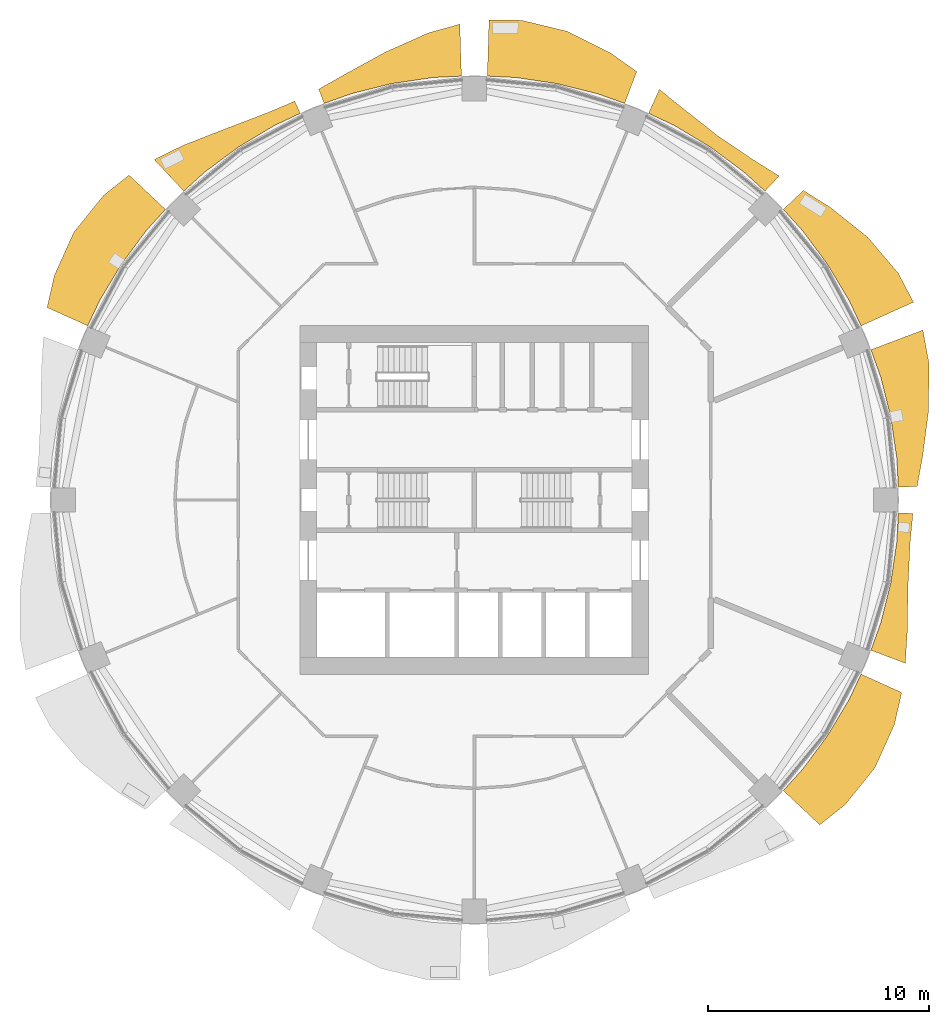
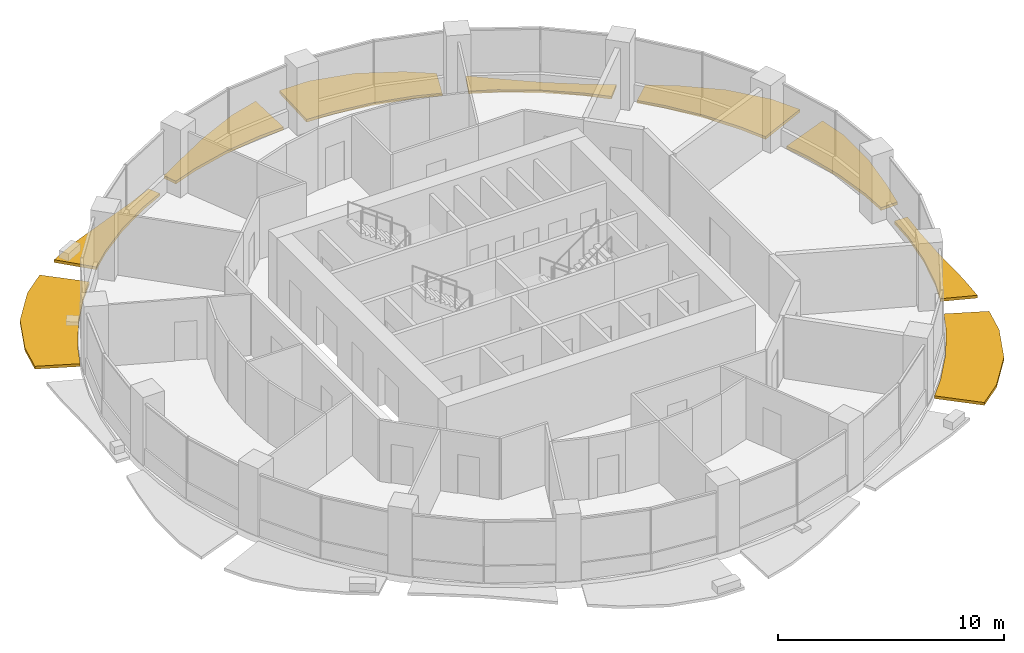
# One storey, part 13 of 14: 9 shading devices.
"""IFC4 building model written with IfcOpenShell, lengths in metres."""

import ifcopenshell
import ifcopenshell.guid

model = None  # the IFC model being written
_history = None  # IfcOwnerHistory: only IFC2X3 demands one
_inside = {}  # id of a spatial element -> (the spatial element, [elements in it])
_under = {}  # id of a project, library or spatial element -> (it, [spatial elements below it])
_declared = {}  # id of a project -> (the project, [libraries it declares])
_typed = {}  # id of a type object -> (the type object, [elements of that type])
_made_of = {}  # id of a material, layer set ... -> (it, [elements and type objects made of it])


def new_model(schema):
    """Start an empty IFC model of exactly this schema.

    Asked for "IFC4X3", IfcOpenShell would pick the latest addendum, in which some entities
    have other attributes; the version numbers below select the first issue.
    IFC2X3 requires an IfcOwnerHistory on every rooted entity: one is made here for all.
    """
    global model, _history
    if schema == "IFC4X3":
        model = ifcopenshell.file(schema_version=(4, 3, 0, 0))
    else:
        model = ifcopenshell.file(schema=schema)
    _inside.clear()
    _under.clear()
    _declared.clear()
    _typed.clear()
    _made_of.clear()
    _history = None
    if model.schema == "IFC2X3":
        org = make("IfcOrganization", Name="unknown")
        user = make(
            "IfcPersonAndOrganization",
            ThePerson=make("IfcPerson", FamilyName="unknown"),
            TheOrganization=org,
        )
        app = make(
            "IfcApplication",
            ApplicationDeveloper=org,
            Version="unknown",
            ApplicationFullName="unknown",
            ApplicationIdentifier="unknown",
        )
        _history = make(
            "IfcOwnerHistory",
            OwningUser=user,
            OwningApplication=app,
            ChangeAction="ADDED",
            CreationDate=0,
        )
    return model


def make(cls, **values):
    """One entity of the class cls with the attributes given. An attribute that is None is left unset."""
    return model.create_entity(
        cls, **{name: value for name, value in values.items() if value is not None}
    )


def rooted(cls, **values):
    """An entity with a GlobalId (a new one), such as an element, a storey or a relation."""
    return make(cls, GlobalId=ifcopenshell.guid.new(), OwnerHistory=_history, **values)


def si_unit(unit_type, name, prefix=None):
    """IfcSIUnit, for example si_unit("LENGTHUNIT", "METRE", prefix="MILLI")."""
    return make("IfcSIUnit", UnitType=unit_type, Prefix=prefix, Name=name)


def assignment(units):
    """IfcUnitAssignment: the units of a project."""
    return None if units is None else make("IfcUnitAssignment", Units=units)


def point(xyz):
    """IfcCartesianPoint."""
    return None if xyz is None else make("IfcCartesianPoint", Coordinates=xyz)


def direction(xyz):
    """IfcDirection."""
    return None if xyz is None else make("IfcDirection", DirectionRatios=xyz)


def frame(location, z_axis=None, x_axis=None):
    """IfcAxis2Placement3D, a coordinate frame: its origin and axes. An axis left out is left unset."""
    return make(
        "IfcAxis2Placement3D",
        Location=point(location),
        Axis=direction(z_axis),
        RefDirection=direction(x_axis),
    )


def origin():
    """The frame at (0, 0, 0) with its axes left unset."""
    return frame((0.0, 0.0, 0.0))


def place(relative_to, where):
    """IfcLocalPlacement: puts the frame where relative to a parent placement (None: the world)."""
    return make(
        "IfcLocalPlacement", PlacementRelTo=relative_to, RelativePlacement=where
    )


def context(
    kind, dimensions, precision=None, world=None, true_north=None, identifier=None
):
    """IfcGeometricRepresentationContext, for example the 3D "Model" context."""
    return make(
        "IfcGeometricRepresentationContext",
        ContextIdentifier=identifier,
        ContextType=kind,
        CoordinateSpaceDimension=dimensions,
        Precision=precision,
        WorldCoordinateSystem=world,
        TrueNorth=true_north,
    )


def subcontext(parent, identifier, kind, view, scale=None):
    """IfcGeometricRepresentationSubContext, for example "Body" below "Model"."""
    return make(
        "IfcGeometricRepresentationSubContext",
        ContextIdentifier=identifier,
        ContextType=kind,
        ParentContext=parent,
        TargetScale=scale,
        TargetView=view,
    )


def project(units=None, contexts=None):
    """IfcProject with its units and contexts."""
    return rooted(
        "IfcProject",
        Name="project",
        RepresentationContexts=contexts,
        UnitsInContext=assignment(units),
    )


def spatial(cls, under=None, at=None, **own):
    """A site, building, storey or space (cls), placed at a placement, below another one or the project."""
    s = rooted(cls, ObjectPlacement=at, **own)
    if under is not None:
        _under.setdefault(under.id(), (under, []))[1].append(s)
    return s


def polyline(points):
    """IfcPolyline through the points."""
    return make("IfcPolyline", Points=[point(p) for p in points])


def outline(outer, holes=None, kind="AREA"):
    """IfcArbitraryClosedProfileDef: a profile drawn as a closed curve; with holes, ...WithVoids."""
    if holes is None:
        return make("IfcArbitraryClosedProfileDef", ProfileType=kind, OuterCurve=outer)
    return make(
        "IfcArbitraryProfileDefWithVoids",
        ProfileType=kind,
        OuterCurve=outer,
        InnerCurves=holes,
    )


def extrude(swept, where, along, depth):
    """IfcExtrudedAreaSolid: the profile swept, set in the frame where, extruded along a direction by depth."""
    return make(
        "IfcExtrudedAreaSolid",
        SweptArea=swept,
        Position=where,
        ExtrudedDirection=direction(along),
        Depth=depth,
    )


def shape(context_of_items, identifier, shape_type, items):
    """IfcShapeRepresentation: the items that make up one representation, for example the "Body"."""
    return make(
        "IfcShapeRepresentation",
        ContextOfItems=context_of_items,
        RepresentationIdentifier=identifier,
        RepresentationType=shape_type,
        Items=items,
    )


def material(Name=None, Category=None):
    """IfcMaterial."""
    return make("IfcMaterial", Name=Name, Category=Category)


def made_of(thing, what):
    """Note that an element or type object is made of a material, layer set ...; save() writes the relation."""
    if what is not None:
        _made_of.setdefault(what.id(), (what, []))[1].append(thing)
    return thing


def type_object(cls, material=None, **own):
    """A type object (cls), such as IfcWallType, which elements share."""
    return made_of(rooted(cls, **own), material)


def element(
    cls,
    number,
    at=None,
    inside=None,
    cuts=None,
    type_object=None,
    material=None,
    context=None,
    identifier="Body",
    shape_type=None,
    held_by="IfcProductDefinitionShape",
    body=None,
    shapes=None,
    **own,
):
    """One element of the class cls, such as IfcWall. Its Tag is "e" and its number.

    at: its placement. inside: the storey or other place that contains it. cuts: it is an
    opening in that element (IfcRelVoidsElement). A single representation is given by context,
    identifier, shape_type and body (its items); several are given by shapes. held_by: the class
    of the entity that holds the representations. save() writes the other relations.
    """
    e = rooted(cls, Tag="e%d" % number, ObjectPlacement=at, **own)
    if body is not None:
        shapes = [shape(context, identifier, shape_type, body)]
    if shapes is not None:
        e.Representation = make(held_by, Representations=shapes)
    if inside is not None:
        _inside.setdefault(inside.id(), (inside, []))[1].append(e)
    if cuts is not None:
        rooted(
            "IfcRelVoidsElement", RelatingBuildingElement=cuts, RelatedOpeningElement=e
        )
    if type_object is not None:
        _typed.setdefault(type_object.id(), (type_object, []))[1].append(e)
    return made_of(e, material)


def aggregate(whole, parts):
    """IfcRelAggregates: a whole, such as a stair, and the parts it consists of."""
    return rooted("IfcRelAggregates", RelatingObject=whole, RelatedObjects=parts)


def save(model, path):
    """Write the relations noted so far, then the file.

    IfcRelAggregates (storeys below a building ...), IfcRelContainedInSpatialStructure (elements
    in a storey), IfcRelDefinesByType, IfcRelAssociatesMaterial and IfcRelDeclares: one each for
    every whole, place, type object, material and project.
    """
    for whole, parts in _under.values():
        aggregate(whole, parts)
    for where, things in _inside.values():
        rooted(
            "IfcRelContainedInSpatialStructure",
            RelatedElements=things,
            RelatingStructure=where,
        )
    for kind, things in _typed.values():
        rooted("IfcRelDefinesByType", RelatedObjects=things, RelatingType=kind)
    for what, things in _made_of.values():
        rooted("IfcRelAssociatesMaterial", RelatedObjects=things, RelatingMaterial=what)
    for by, libraries in _declared.values():
        rooted("IfcRelDeclares", RelatingContext=by, RelatedDefinitions=libraries)
    model.write(path)


model = new_model("IFC4")

# Units and contexts
model_context = context("Model", 3, precision=1e-05, world=origin(), true_north=direction((0.0, 1.0)))
body_context = subcontext(model_context, "Body", "Model", "MODEL_VIEW")
ifc_project = project(units=[si_unit("LENGTHUNIT", "METRE"), si_unit("AREAUNIT", "SQUARE_METRE"), si_unit("VOLUMEUNIT", "CUBIC_METRE"), si_unit("PLANEANGLEUNIT", "RADIAN"), si_unit("MASSUNIT", "GRAM", prefix="KILO")], contexts=[model_context])

# Site, building, storey
site_placement = place(None, origin())
site = spatial("IfcSite", under=ifc_project, at=site_placement, CompositionType="ELEMENT")
building_placement = place(site_placement, origin())
building = spatial("IfcBuilding", under=site, at=building_placement, Name="Polderwave Tower", CompositionType="ELEMENT")
storey_placement = place(building_placement, frame((0.0, 0.0, 105.60009765625)))
storey = spatial("IfcBuildingStorey", under=building, at=storey_placement, Name="L27", CompositionType="ELEMENT", Elevation=105.60009765625)

# Shading devices
ifc_material = material(Name="Terracotta", Category="masonry")
shading_device_type = type_object("IfcShadingDeviceType", Name="Terracotta sunshade band", PredefinedType="USERDEFINED", material=ifc_material)
shading_device_1_placement = place(storey_placement, frame((0.0, 0.0, -0.35009765625)))
element("IfcShadingDevice", 1, at=shading_device_1_placement, inside=storey, type_object=shading_device_type, Name="Sunshade band L27 1", ObjectType="SUNSHADE", PredefinedType="USERDEFINED", context=body_context, shape_type="SweptSolid", body=[
    extrude(outline(polyline([(19.1513671875, 0.584228515625), (19.087646484375, 1.8798828125), (18.8115234375, 3.74169921875), (18.35400390625, 5.567626953125), (17.9169921875, 6.789306640625), (20.2646484375, 7.6787109375), (20.529296875, 6.2275390625), (20.526611328125, 4.0830078125), (20.25634765625, 1.9951171875), (20.00244140625, 0.610107421875), (19.1513671875, 0.584228515625)])), origin(), (0.0, 0.0, 1.0), 0.14990234375),
])
shading_device_2_placement = place(storey_placement, frame((0.0, 0.0, -0.35009765625)))
element("IfcShadingDevice", 2, at=shading_device_2_placement, inside=storey, type_object=shading_device_type, Name="Sunshade band L27 2", ObjectType="SUNSHADE", PredefinedType="USERDEFINED", context=body_context, shape_type="SweptSolid", body=[
    extrude(outline(polyline([(17.469970703125, 7.86865234375), (16.915283203125, 9.04150390625), (15.947509765625, 10.65576171875), (14.826416015625, 12.167724609375), (13.955078125, 13.12890625), (14.864501953125, 13.984619140625), (16.099609375, 13.21240234375), (17.771728515625, 11.874755859375), (19.156005859375, 10.239013671875), (19.8388671875, 8.935546875), (17.469970703125, 7.86865234375)])), origin(), (0.0, 0.0, 1.0), 0.14990234375),
])
shading_device_3_placement = place(storey_placement, frame((0.0, 0.0, -0.35009765625)))
element("IfcShadingDevice", 3, at=shading_device_3_placement, inside=storey, type_object=shading_device_type, Name="Sunshade band L27 3", ObjectType="SUNSHADE", PredefinedType="USERDEFINED", context=body_context, shape_type="SweptSolid", body=[
    extrude(outline(polyline([(13.12890625, 13.955078125), (12.167724609375, 14.826416015625), (10.65576171875, 15.947509765625), (9.04150390625, 16.915283203125), (7.86865234375, 17.469970703125), (8.35595703125, 18.5517578125), (9.447021484375, 17.674072265625), (10.995361328125, 16.455810546875), (12.608642578125, 15.36376953125), (13.77099609375, 14.637451171875), (13.12890625, 13.955078125)])), origin(), (0.0, 0.0, 1.0), 0.14990234375),
])
shading_device_4_placement = place(storey_placement, frame((0.0, 0.0, -0.35009765625)))
element("IfcShadingDevice", 4, at=shading_device_4_placement, inside=storey, type_object=shading_device_type, Name="Sunshade band L27 4", ObjectType="SUNSHADE", PredefinedType="USERDEFINED", context=body_context, shape_type="SweptSolid", body=[
    extrude(outline(polyline([(6.789306640625, 17.9169921875), (5.567626953125, 18.35400390625), (3.74169921875, 18.8115234375), (1.8798828125, 19.087646484375), (0.584228515625, 19.1513671875), (0.66162109375, 21.686279296875), (2.134765625, 21.674072265625), (4.2109375, 21.169677734375), (6.130615234375, 20.20947265625), (7.334716796875, 19.356689453125), (6.789306640625, 17.9169921875)])), origin(), (0.0, 0.0, 1.0), 0.14990234375),
])
shading_device_5_placement = place(storey_placement, frame((0.0, 0.0, -0.35009765625)))
element("IfcShadingDevice", 5, at=shading_device_5_placement, inside=storey, type_object=shading_device_type, Name="Sunshade band L27 5", ObjectType="SUNSHADE", PredefinedType="USERDEFINED", context=body_context, shape_type="SweptSolid", body=[
    extrude(outline(polyline([(-0.584228515625, 19.1513671875), (-1.8798828125, 19.087646484375), (-3.74169921875, 18.8115234375), (-5.567626953125, 18.35400390625), (-6.789306640625, 17.9169921875), (-7.033447265625, 18.561767578125), (-5.836669921875, 19.2412109375), (-4.02490234375, 20.23486328125), (-2.07861328125, 21.103515625), (-0.65576171875, 21.498779296875), (-0.584228515625, 19.1513671875)])), origin(), (0.0, 0.0, 1.0), 0.14990234375),
])
shading_device_6_placement = place(storey_placement, frame((0.0, 0.0, -0.35009765625)))
element("IfcShadingDevice", 6, at=shading_device_6_placement, inside=storey, type_object=shading_device_type, Name="Sunshade band L27 6", ObjectType="SUNSHADE", PredefinedType="USERDEFINED", context=body_context, shape_type="SweptSolid", body=[
    extrude(outline(polyline([(-7.86865234375, 17.469970703125), (-9.04150390625, 16.915283203125), (-10.65576171875, 15.947509765625), (-12.167724609375, 14.826416015625), (-13.12890625, 13.955078125), (-14.466064453125, 15.37646484375), (-13.15283203125, 16.02685546875), (-11.214599609375, 16.783935546875), (-9.35205078125, 17.49658203125), (-8.11572265625, 18.018798828125), (-7.86865234375, 17.469970703125)])), origin(), (0.0, 0.0, 1.0), 0.14990234375),
])
shading_device_7_placement = place(storey_placement, frame((0.0, 0.0, -0.35009765625)))
element("IfcShadingDevice", 7, at=shading_device_7_placement, inside=storey, type_object=shading_device_type, Name="Sunshade band L27 7", ObjectType="SUNSHADE", PredefinedType="USERDEFINED", context=body_context, shape_type="SweptSolid", body=[
    extrude(outline(polyline([(-13.955078125, 13.12890625), (-14.826416015625, 12.167724609375), (-15.947509765625, 10.65576171875), (-16.915283203125, 9.04150390625), (-17.469970703125, 7.86865234375), (-19.305908203125, 8.695556640625), (-18.978515625, 10.144287109375), (-18.10009765625, 12.093994140625), (-16.7626953125, 13.756591796875), (-15.603515625, 14.6796875), (-13.955078125, 13.12890625)])), origin(), (0.0, 0.0, 1.0), 0.14990234375),
])
shading_device_8_placement = place(storey_placement, frame((0.0, 0.0, -0.35009765625)))
element("IfcShadingDevice", 8, at=shading_device_8_placement, inside=storey, type_object=shading_device_type, Name="Sunshade band L27 15", ObjectType="SUNSHADE", PredefinedType="USERDEFINED", context=body_context, shape_type="SweptSolid", body=[
    extrude(outline(polyline([(13.955078125, -13.12890625), (14.826416015625, -12.167724609375), (15.947509765625, -10.65576171875), (16.915283203125, -9.04150390625), (17.469970703125, -7.86865234375), (19.305908203125, -8.695556640625), (18.978515625, -10.144287109375), (18.10009765625, -12.093994140625), (16.7626953125, -13.756591796875), (15.603515625, -14.6796875), (13.955078125, -13.12890625)])), origin(), (0.0, 0.0, 1.0), 0.14990234375),
])
shading_device_9_placement = place(storey_placement, frame((0.0, 0.0, -0.35009765625)))
element("IfcShadingDevice", 9, at=shading_device_9_placement, inside=storey, type_object=shading_device_type, Name="Sunshade band L27 16", ObjectType="SUNSHADE", PredefinedType="USERDEFINED", context=body_context, shape_type="SweptSolid", body=[
    extrude(outline(polyline([(17.9169921875, -6.789306640625), (18.35400390625, -5.567626953125), (18.8115234375, -3.74169921875), (19.087646484375, -1.8798828125), (19.1513671875, -0.584228515625), (19.814697265625, -0.6044921875), (19.685791015625, -1.93896484375), (19.591796875, -3.89697265625), (19.560791015625, -5.93359375), (19.4697265625, -7.37744140625), (17.9169921875, -6.789306640625)])), origin(), (0.0, 0.0, 1.0), 0.14990234375),
])

save(model, "model.ifc")
